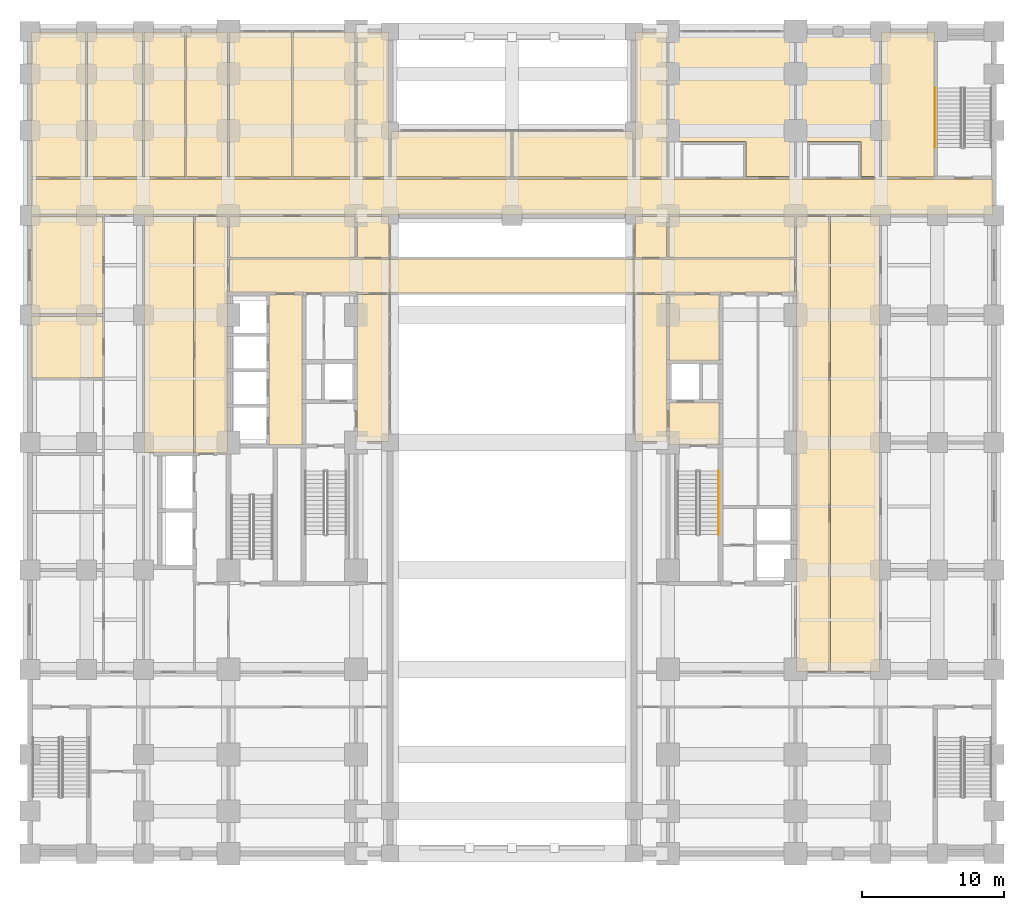
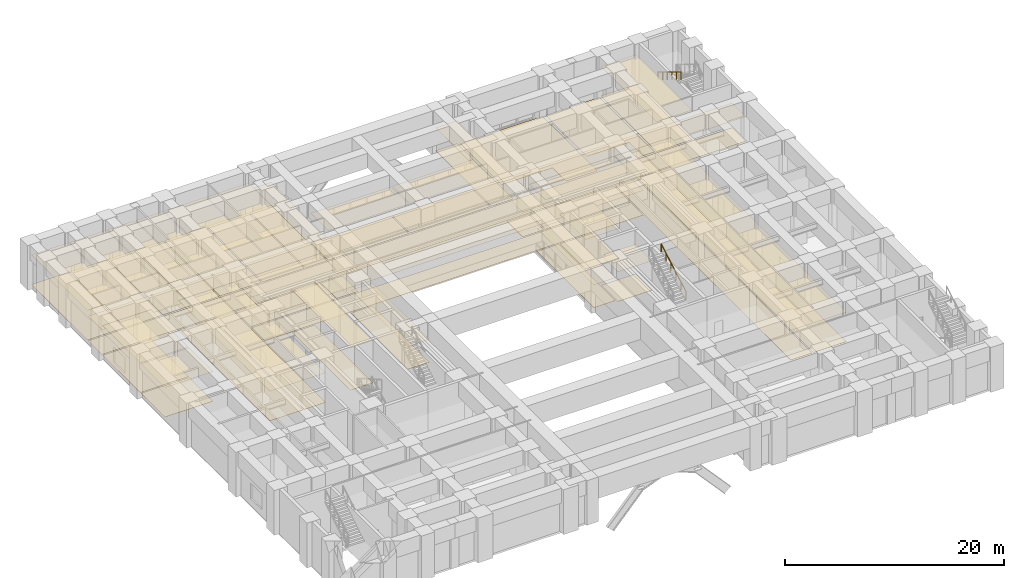
# One storey, part 22 of 24: 58 coverings, 2 railings.
"""IFC4 building model written with IfcOpenShell, lengths in metres."""

import ifcopenshell
import ifcopenshell.guid

model = None  # the IFC model being written
_history = None  # IfcOwnerHistory: only IFC2X3 demands one
_inside = {}  # id of a spatial element -> (the spatial element, [elements in it])
_under = {}  # id of a project, library or spatial element -> (it, [spatial elements below it])
_declared = {}  # id of a project -> (the project, [libraries it declares])
_typed = {}  # id of a type object -> (the type object, [elements of that type])
_made_of = {}  # id of a material, layer set ... -> (it, [elements and type objects made of it])


def new_model(schema):
    """Start an empty IFC model of exactly this schema.

    Asked for "IFC4X3", IfcOpenShell would pick the latest addendum, in which some entities
    have other attributes; the version numbers below select the first issue.
    IFC2X3 requires an IfcOwnerHistory on every rooted entity: one is made here for all.
    """
    global model, _history
    if schema == "IFC4X3":
        model = ifcopenshell.file(schema_version=(4, 3, 0, 0))
    else:
        model = ifcopenshell.file(schema=schema)
    _inside.clear()
    _under.clear()
    _declared.clear()
    _typed.clear()
    _made_of.clear()
    _history = None
    if model.schema == "IFC2X3":
        org = make("IfcOrganization", Name="unknown")
        user = make(
            "IfcPersonAndOrganization",
            ThePerson=make("IfcPerson", FamilyName="unknown"),
            TheOrganization=org,
        )
        app = make(
            "IfcApplication",
            ApplicationDeveloper=org,
            Version="unknown",
            ApplicationFullName="unknown",
            ApplicationIdentifier="unknown",
        )
        _history = make(
            "IfcOwnerHistory",
            OwningUser=user,
            OwningApplication=app,
            ChangeAction="ADDED",
            CreationDate=0,
        )
    return model


def make(cls, **values):
    """One entity of the class cls with the attributes given. An attribute that is None is left unset."""
    return model.create_entity(
        cls, **{name: value for name, value in values.items() if value is not None}
    )


def rooted(cls, **values):
    """An entity with a GlobalId (a new one), such as an element, a storey or a relation."""
    return make(cls, GlobalId=ifcopenshell.guid.new(), OwnerHistory=_history, **values)


def si_unit(unit_type, name, prefix=None):
    """IfcSIUnit, for example si_unit("LENGTHUNIT", "METRE", prefix="MILLI")."""
    return make("IfcSIUnit", UnitType=unit_type, Prefix=prefix, Name=name)


def assignment(units):
    """IfcUnitAssignment: the units of a project."""
    return None if units is None else make("IfcUnitAssignment", Units=units)


def point(xyz):
    """IfcCartesianPoint."""
    return None if xyz is None else make("IfcCartesianPoint", Coordinates=xyz)


def direction(xyz):
    """IfcDirection."""
    return None if xyz is None else make("IfcDirection", DirectionRatios=xyz)


def frame(location, z_axis=None, x_axis=None):
    """IfcAxis2Placement3D, a coordinate frame: its origin and axes. An axis left out is left unset."""
    return make(
        "IfcAxis2Placement3D",
        Location=point(location),
        Axis=direction(z_axis),
        RefDirection=direction(x_axis),
    )


def frame_2d(location, x_axis=None):
    """IfcAxis2Placement2D, a coordinate frame in the plane: its origin and x axis."""
    return make(
        "IfcAxis2Placement2D", Location=point(location), RefDirection=direction(x_axis)
    )


def origin():
    """The frame at (0, 0, 0) with its axes left unset."""
    return frame((0.0, 0.0, 0.0))


def origin_2d():
    """The frame at (0, 0) in the plane with its x axis left unset."""
    return frame_2d((0.0, 0.0))


def place(relative_to, where):
    """IfcLocalPlacement: puts the frame where relative to a parent placement (None: the world)."""
    return make(
        "IfcLocalPlacement", PlacementRelTo=relative_to, RelativePlacement=where
    )


def context(
    kind, dimensions, precision=None, world=None, true_north=None, identifier=None
):
    """IfcGeometricRepresentationContext, for example the 3D "Model" context."""
    return make(
        "IfcGeometricRepresentationContext",
        ContextIdentifier=identifier,
        ContextType=kind,
        CoordinateSpaceDimension=dimensions,
        Precision=precision,
        WorldCoordinateSystem=world,
        TrueNorth=true_north,
    )


def subcontext(parent, identifier, kind, view, scale=None):
    """IfcGeometricRepresentationSubContext, for example "Body" below "Model"."""
    return make(
        "IfcGeometricRepresentationSubContext",
        ContextIdentifier=identifier,
        ContextType=kind,
        ParentContext=parent,
        TargetScale=scale,
        TargetView=view,
    )


def project(units=None, contexts=None):
    """IfcProject with its units and contexts."""
    return rooted(
        "IfcProject",
        Name="project",
        RepresentationContexts=contexts,
        UnitsInContext=assignment(units),
    )


def spatial(cls, under=None, at=None, **own):
    """A site, building, storey or space (cls), placed at a placement, below another one or the project."""
    s = rooted(cls, ObjectPlacement=at, **own)
    if under is not None:
        _under.setdefault(under.id(), (under, []))[1].append(s)
    return s


def polyline(points):
    """IfcPolyline through the points."""
    return make("IfcPolyline", Points=[point(p) for p in points])


def profile(cls, at=None, kind="AREA", **sizes):
    """A parametric profile (cls). Its sizes go by their IFC names, for example OverallWidth=200.0."""
    return make(cls, ProfileType=kind, Position=at, **sizes)


def rectangle(**sizes):
    """IfcRectangleProfileDef."""
    return profile("IfcRectangleProfileDef", **sizes)


def outline(outer, holes=None, kind="AREA"):
    """IfcArbitraryClosedProfileDef: a profile drawn as a closed curve; with holes, ...WithVoids."""
    if holes is None:
        return make("IfcArbitraryClosedProfileDef", ProfileType=kind, OuterCurve=outer)
    return make(
        "IfcArbitraryProfileDefWithVoids",
        ProfileType=kind,
        OuterCurve=outer,
        InnerCurves=holes,
    )


def extrude(swept, where, along, depth):
    """IfcExtrudedAreaSolid: the profile swept, set in the frame where, extruded along a direction by depth."""
    return make(
        "IfcExtrudedAreaSolid",
        SweptArea=swept,
        Position=where,
        ExtrudedDirection=direction(along),
        Depth=depth,
    )


def shape(context_of_items, identifier, shape_type, items):
    """IfcShapeRepresentation: the items that make up one representation, for example the "Body"."""
    return make(
        "IfcShapeRepresentation",
        ContextOfItems=context_of_items,
        RepresentationIdentifier=identifier,
        RepresentationType=shape_type,
        Items=items,
    )


def material(Name=None, Category=None):
    """IfcMaterial."""
    return make("IfcMaterial", Name=Name, Category=Category)


def layer(
    of_material, thickness, ventilated=None, Name=None, Category=None, Priority=None
):
    """IfcMaterialLayer: one layer of a wall or slab, of a material (None: an air gap)."""
    return make(
        "IfcMaterialLayer",
        Material=of_material,
        LayerThickness=thickness,
        IsVentilated=ventilated,
        Name=Name,
        Category=Category,
        Priority=Priority,
    )


def layer_set(layers, Name=None):
    """IfcMaterialLayerSet."""
    return make("IfcMaterialLayerSet", MaterialLayers=layers, LayerSetName=Name)


def made_of(thing, what):
    """Note that an element or type object is made of a material, layer set ...; save() writes the relation."""
    if what is not None:
        _made_of.setdefault(what.id(), (what, []))[1].append(thing)
    return thing


def type_object(cls, material=None, **own):
    """A type object (cls), such as IfcWallType, which elements share."""
    return made_of(rooted(cls, **own), material)


def element(
    cls,
    number,
    at=None,
    inside=None,
    cuts=None,
    type_object=None,
    material=None,
    context=None,
    identifier="Body",
    shape_type=None,
    held_by="IfcProductDefinitionShape",
    body=None,
    shapes=None,
    **own,
):
    """One element of the class cls, such as IfcWall. Its Tag is "e" and its number.

    at: its placement. inside: the storey or other place that contains it. cuts: it is an
    opening in that element (IfcRelVoidsElement). A single representation is given by context,
    identifier, shape_type and body (its items); several are given by shapes. held_by: the class
    of the entity that holds the representations. save() writes the other relations.
    """
    e = rooted(cls, Tag="e%d" % number, ObjectPlacement=at, **own)
    if body is not None:
        shapes = [shape(context, identifier, shape_type, body)]
    if shapes is not None:
        e.Representation = make(held_by, Representations=shapes)
    if inside is not None:
        _inside.setdefault(inside.id(), (inside, []))[1].append(e)
    if cuts is not None:
        rooted(
            "IfcRelVoidsElement", RelatingBuildingElement=cuts, RelatedOpeningElement=e
        )
    if type_object is not None:
        _typed.setdefault(type_object.id(), (type_object, []))[1].append(e)
    return made_of(e, material)


def aggregate(whole, parts):
    """IfcRelAggregates: a whole, such as a stair, and the parts it consists of."""
    return rooted("IfcRelAggregates", RelatingObject=whole, RelatedObjects=parts)


def save(model, path):
    """Write the relations noted so far, then the file.

    IfcRelAggregates (storeys below a building ...), IfcRelContainedInSpatialStructure (elements
    in a storey), IfcRelDefinesByType, IfcRelAssociatesMaterial and IfcRelDeclares: one each for
    every whole, place, type object, material and project.
    """
    for whole, parts in _under.values():
        aggregate(whole, parts)
    for where, things in _inside.values():
        rooted(
            "IfcRelContainedInSpatialStructure",
            RelatedElements=things,
            RelatingStructure=where,
        )
    for kind, things in _typed.values():
        rooted("IfcRelDefinesByType", RelatedObjects=things, RelatingType=kind)
    for what, things in _made_of.values():
        rooted("IfcRelAssociatesMaterial", RelatedObjects=things, RelatingMaterial=what)
    for by, libraries in _declared.values():
        rooted("IfcRelDeclares", RelatingContext=by, RelatedDefinitions=libraries)
    model.write(path)


model = new_model("IFC4")

# Units and contexts
model_context = context("Model", 3, precision=1e-05, world=origin(), true_north=direction((0.0, 1.0)))
body_context = subcontext(model_context, "Body", "Model", "MODEL_VIEW")
ifc_project = project(units=[si_unit("LENGTHUNIT", "METRE"), si_unit("AREAUNIT", "SQUARE_METRE"), si_unit("VOLUMEUNIT", "CUBIC_METRE"), si_unit("PLANEANGLEUNIT", "RADIAN"), si_unit("MASSUNIT", "GRAM", prefix="KILO")], contexts=[model_context])

# Site, building, storey
site_placement = place(None, origin())
site = spatial("IfcSite", under=ifc_project, at=site_placement, CompositionType="ELEMENT")
building_placement = place(site_placement, origin())
building = spatial("IfcBuilding", under=site, at=building_placement, Name="Zulmaris Gate Convention Tower", CompositionType="ELEMENT")
storey_placement = place(building_placement, frame((0.0, 0.0, 16.320068359375)))
storey = spatial("IfcBuildingStorey", under=building, at=storey_placement, Name="L03", CompositionType="ELEMENT", Elevation=16.320068359375)

# Coverings
ifc_material_1 = material(Name="Mineral Fibre Acoustic Ceiling Tile")
ifc_layer_1 = layer(ifc_material_1, 0.02001953125, Name="Mineral Fibre Acoustic Ceiling Tile")
ifc_layer_set_1 = layer_set([ifc_layer_1], Name="Mineral Fibre Acoustic Ceiling Tile")
covering_type_1 = type_object("IfcCoveringType", Name="CLG-ACOUSTIC-600", PredefinedType="CEILING", material=ifc_layer_set_1)
covering_1_placement = place(storey_placement, frame((0.0, 0.0, 3.300048828125)))
element("IfcCovering", 1, at=covering_1_placement, inside=storey, type_object=covering_type_1, Name="CLG-L03-R08", PredefinedType="CEILING", context=body_context, shape_type="SweptSolid", body=[
    extrude(outline(polyline([(11.06005859375, -0.18994140625), (14.639892578125, -0.18994140625), (14.639892578125, 2.840087890625), (11.06005859375, 2.840087890625), (11.06005859375, -0.18994140625)])), origin(), (0.0, 0.0, 1.0), 0.019775390625),
])
covering_2_placement = place(storey_placement, frame((0.0, 0.0, 3.300048828125)))
element("IfcCovering", 2, at=covering_2_placement, inside=storey, type_object=covering_type_1, Name="CLG-L03-R13", PredefinedType="CEILING", context=body_context, shape_type="SweptSolid", body=[
    extrude(outline(polyline([(11.06005859375, 5.760009765625), (14.639892578125, 5.760009765625), (14.639892578125, 10.43994140625), (11.06005859375, 10.43994140625), (11.06005859375, 5.760009765625)])), origin(), (0.0, 0.0, 1.0), 0.019775390625),
])
covering_3_placement = place(storey_placement, frame((0.0, 0.0, 4.7099609375)))
element("IfcCovering", 3, at=covering_3_placement, inside=storey, type_object=covering_type_1, Name="CLG-L03-R16", PredefinedType="CEILING", context=body_context, shape_type="SweptSolid", body=[
    extrude(outline(polyline([(-17.139892578125, -0.18994140625), (-14.760009765625, -0.18994140625), (-14.760009765625, 10.43994140625), (-17.139892578125, 10.43994140625), (-17.139892578125, -0.18994140625)])), origin(), (0.0, 0.0, 1.0), 0.02001953125),
])
covering_4_placement = place(storey_placement, frame((0.0, 0.0, 2.550048828125)))
element("IfcCovering", 4, at=covering_4_placement, inside=storey, type_object=covering_type_1, Name="CLG-L03-R34", PredefinedType="CEILING", context=body_context, shape_type="SweptSolid", body=[
    extrude(outline(polyline([(-10.93994140625, 0.06005859375), (-8.659912109375, 0.06005859375), (-8.659912109375, 10.43994140625), (-10.93994140625, 10.43994140625), (-10.93994140625, 0.06005859375)])), origin(), (0.0, 0.0, 1.0), 0.019775390625),
])
covering_5_placement = place(storey_placement, frame((0.0, 0.0, 2.550048828125)))
element("IfcCovering", 5, at=covering_5_placement, inside=storey, type_object=covering_type_1, Name="CLG-L03-R36", PredefinedType="CEILING", context=body_context, shape_type="SweptSolid", body=[
    extrude(outline(polyline([(8.659912109375, 0.06005859375), (10.93994140625, 0.06005859375), (10.93994140625, 10.43994140625), (8.659912109375, 10.43994140625), (8.659912109375, 0.06005859375)])), origin(), (0.0, 0.0, 1.0), 0.019775390625),
])
covering_6_placement = place(storey_placement, frame((0.0, 0.0, 2.75)))
element("IfcCovering", 6, at=covering_6_placement, inside=storey, type_object=covering_type_1, Name="CLG-L03-R38", PredefinedType="CEILING", context=body_context, shape_type="SweptSolid", body=[
    extrude(outline(polyline([(-10.93994140625, 13.06005859375), (-8.659912109375, 13.06005859375), (-8.659912109375, 15.93994140625), (-10.93994140625, 15.93994140625), (-10.93994140625, 13.06005859375)])), origin(), (0.0, 0.0, 1.0), 0.02001953125),
])
covering_7_placement = place(storey_placement, frame((0.0, 0.0, 2.75)))
element("IfcCovering", 7, at=covering_7_placement, inside=storey, type_object=covering_type_1, Name="CLG-L03-R39", PredefinedType="CEILING", context=body_context, shape_type="SweptSolid", body=[
    extrude(outline(polyline([(8.659912109375, 13.06005859375), (10.93994140625, 13.06005859375), (10.93994140625, 15.93994140625), (8.659912109375, 15.93994140625), (8.659912109375, 13.06005859375)])), origin(), (0.0, 0.0, 1.0), 0.02001953125),
])
covering_8_placement = place(storey_placement, frame((0.0, 0.0, 3.300048828125)))
element("IfcCovering", 8, at=covering_8_placement, inside=storey, type_object=covering_type_1, Name="CLG-L03-R40", PredefinedType="CEILING", context=body_context, shape_type="SweptSolid", body=[
    extrude(outline(polyline([(-19.93994140625, 13.06005859375), (-11.06005859375, 13.06005859375), (-11.06005859375, 15.93994140625), (-19.93994140625, 15.93994140625), (-19.93994140625, 13.06005859375)])), origin(), (0.0, 0.0, 1.0), 0.019775390625),
])
covering_9_placement = place(storey_placement, frame((0.0, 0.0, 3.300048828125)))
element("IfcCovering", 9, at=covering_9_placement, inside=storey, type_object=covering_type_1, Name="CLG-L03-R41", PredefinedType="CEILING", context=body_context, shape_type="SweptSolid", body=[
    extrude(outline(polyline([(11.06005859375, 13.06005859375), (19.93994140625, 13.06005859375), (19.93994140625, 15.93994140625), (11.06005859375, 15.93994140625), (11.06005859375, 13.06005859375)])), origin(), (0.0, 0.0, 1.0), 0.019775390625),
])
covering_10_placement = place(storey_placement, frame((0.0, 0.0, 2.75)))
element("IfcCovering", 10, at=covering_10_placement, inside=storey, type_object=covering_type_1, Name="CLG-L03-R42", PredefinedType="CEILING", context=body_context, shape_type="SweptSolid", body=[
    extrude(outline(polyline([(-33.93994140625, 16.06005859375), (33.93994140625, 16.06005859375), (33.93994140625, 18.590087890625), (-33.93994140625, 18.590087890625), (-33.93994140625, 16.06005859375)])), origin(), (0.0, 0.0, 1.0), 0.02001953125),
])
covering_11_placement = place(storey_placement, frame((0.0, 0.0, 2.75)))
element("IfcCovering", 11, at=covering_11_placement, inside=storey, type_object=covering_type_1, Name="CLG-L03-R43", PredefinedType="CEILING", context=body_context, shape_type="SweptSolid", body=[
    extrude(outline(polyline([(-19.93994140625, 10.56005859375), (19.93994140625, 10.56005859375), (19.93994140625, 12.93994140625), (-19.93994140625, 12.93994140625), (-19.93994140625, 10.56005859375)])), origin(), (0.0, 0.0, 1.0), 0.02001953125),
])
covering_12_placement = place(storey_placement, frame((0.0, 0.0, 3.300048828125)))
element("IfcCovering", 12, at=covering_12_placement, inside=storey, type_object=covering_type_1, Name="CLG-L03-R44", PredefinedType="CEILING", context=body_context, shape_type="SweptSolid", body=[
    extrude(outline(polyline([(-22.340087890625, -0.739990234375), (-20.06005859375, -0.739990234375), (-20.06005859375, 15.93994140625), (-22.340087890625, 15.93994140625), (-22.340087890625, -0.739990234375)])), origin(), (0.0, 0.0, 1.0), 0.019775390625),
])
covering_13_placement = place(storey_placement, frame((0.0, 0.0, 3.300048828125)))
element("IfcCovering", 13, at=covering_13_placement, inside=storey, type_object=covering_type_1, Name="CLG-L03-R45", PredefinedType="CEILING", context=body_context, shape_type="SweptSolid", body=[
    extrude(outline(polyline([(-25.93994140625, -0.739990234375), (-22.4599609375, -0.739990234375), (-22.4599609375, 15.93994140625), (-25.93994140625, 15.93994140625), (-25.93994140625, -0.739990234375)])), origin(), (0.0, 0.0, 1.0), 0.019775390625),
])
covering_14_placement = place(storey_placement, frame((0.0, 0.0, 3.300048828125)))
element("IfcCovering", 14, at=covering_14_placement, inside=storey, type_object=covering_type_1, Name="CLG-L03-R48", PredefinedType="CEILING", context=body_context, shape_type="SweptSolid", body=[
    extrude(outline(polyline([(20.06005859375, -16.139892578125), (22.340087890625, -16.139892578125), (22.340087890625, 15.93994140625), (20.06005859375, 15.93994140625), (20.06005859375, -16.139892578125)])), origin(), (0.0, 0.0, 1.0), 0.019775390625),
])
covering_15_placement = place(storey_placement, frame((0.0, 0.0, 3.300048828125)))
element("IfcCovering", 15, at=covering_15_placement, inside=storey, type_object=covering_type_1, Name="CLG-L03-R53", PredefinedType="CEILING", context=body_context, shape_type="SweptSolid", body=[
    extrude(outline(polyline([(-33.93994140625, 18.7099609375), (-30.06005859375, 18.7099609375), (-30.06005859375, 28.93994140625), (-33.93994140625, 28.93994140625), (-33.93994140625, 18.7099609375)])), origin(), (0.0, 0.0, 1.0), 0.019775390625),
])
covering_16_placement = place(storey_placement, frame((0.0, 0.0, 3.300048828125)))
element("IfcCovering", 16, at=covering_16_placement, inside=storey, type_object=covering_type_1, Name="CLG-L03-R54", PredefinedType="CEILING", context=body_context, shape_type="SweptSolid", body=[
    extrude(outline(polyline([(-29.93994140625, 18.7099609375), (-26.06005859375, 18.7099609375), (-26.06005859375, 28.93994140625), (-29.93994140625, 28.93994140625), (-29.93994140625, 18.7099609375)])), origin(), (0.0, 0.0, 1.0), 0.019775390625),
])
covering_17_placement = place(storey_placement, frame((0.0, 0.0, 3.300048828125)))
element("IfcCovering", 17, at=covering_17_placement, inside=storey, type_object=covering_type_1, Name="CLG-L03-R55", PredefinedType="CEILING", context=body_context, shape_type="SweptSolid", body=[
    extrude(outline(polyline([(-25.93994140625, 18.7099609375), (-23.06005859375, 18.7099609375), (-23.06005859375, 28.93994140625), (-25.93994140625, 28.93994140625), (-25.93994140625, 18.7099609375)])), origin(), (0.0, 0.0, 1.0), 0.019775390625),
])
covering_18_placement = place(storey_placement, frame((0.0, 0.0, 3.300048828125)))
element("IfcCovering", 18, at=covering_18_placement, inside=storey, type_object=covering_type_1, Name="CLG-L03-R56", PredefinedType="CEILING", context=body_context, shape_type="SweptSolid", body=[
    extrude(outline(polyline([(-22.93994140625, 18.7099609375), (-20.06005859375, 18.7099609375), (-20.06005859375, 28.93994140625), (-22.93994140625, 28.93994140625), (-22.93994140625, 18.7099609375)])), origin(), (0.0, 0.0, 1.0), 0.019775390625),
])
covering_19_placement = place(storey_placement, frame((0.0, 0.0, 3.300048828125)))
element("IfcCovering", 19, at=covering_19_placement, inside=storey, type_object=covering_type_1, Name="CLG-L03-R57", PredefinedType="CEILING", context=body_context, shape_type="SweptSolid", body=[
    extrude(outline(polyline([(-19.93994140625, 18.7099609375), (-15.56005859375, 18.7099609375), (-15.56005859375, 28.93994140625), (-19.93994140625, 28.93994140625), (-19.93994140625, 18.7099609375)])), origin(), (0.0, 0.0, 1.0), 0.019775390625),
])
covering_20_placement = place(storey_placement, frame((0.0, 0.0, 3.300048828125)))
element("IfcCovering", 20, at=covering_20_placement, inside=storey, type_object=covering_type_1, Name="CLG-L03-R58", PredefinedType="CEILING", context=body_context, shape_type="SweptSolid", body=[
    extrude(outline(polyline([(-15.43994140625, 18.7099609375), (-11.06005859375, 18.7099609375), (-11.06005859375, 28.93994140625), (-15.43994140625, 28.93994140625), (-15.43994140625, 18.7099609375)])), origin(), (0.0, 0.0, 1.0), 0.019775390625),
])
covering_21_placement = place(storey_placement, frame((0.0, 0.0, 2.550048828125)))
element("IfcCovering", 21, at=covering_21_placement, inside=storey, type_object=covering_type_1, Name="CLG-L03-R59", PredefinedType="CEILING", context=body_context, shape_type="SweptSolid", body=[
    extrude(outline(polyline([(-10.93994140625, 18.7099609375), (-8.659912109375, 18.7099609375), (-8.659912109375, 28.93994140625), (-10.93994140625, 28.93994140625), (-10.93994140625, 18.7099609375)])), origin(), (0.0, 0.0, 1.0), 0.019775390625),
])
covering_22_placement = place(storey_placement, frame((0.0, 0.0, 3.300048828125)))
element("IfcCovering", 22, at=covering_22_placement, inside=storey, type_object=covering_type_1, Name="CLG-L03-R60", PredefinedType="CEILING", context=body_context, shape_type="SweptSolid", body=[
    extrude(outline(polyline([(-8.5400390625, 18.7099609375), (-0.06005859375, 18.7099609375), (-0.06005859375, 21.93994140625), (-8.5400390625, 21.93994140625), (-8.5400390625, 18.7099609375)])), origin(), (0.0, 0.0, 1.0), 0.019775390625),
])
covering_23_placement = place(storey_placement, frame((0.0, 0.0, 3.300048828125)))
element("IfcCovering", 23, at=covering_23_placement, inside=storey, type_object=covering_type_1, Name="CLG-L03-R61", PredefinedType="CEILING", context=body_context, shape_type="SweptSolid", body=[
    extrude(outline(polyline([(0.06005859375, 18.7099609375), (8.5400390625, 18.7099609375), (8.5400390625, 21.93994140625), (0.06005859375, 21.93994140625), (0.06005859375, 18.7099609375)])), origin(), (0.0, 0.0, 1.0), 0.019775390625),
])
covering_24_placement = place(storey_placement, frame((0.0, 0.0, 2.550048828125)))
element("IfcCovering", 24, at=covering_24_placement, inside=storey, type_object=covering_type_1, Name="CLG-L03-R62", PredefinedType="CEILING", context=body_context, shape_type="SweptSolid", body=[
    extrude(outline(polyline([(8.659912109375, 18.7099609375), (10.93994140625, 18.7099609375), (10.93994140625, 28.93994140625), (8.659912109375, 28.93994140625), (8.659912109375, 18.7099609375)])), origin(), (0.0, 0.0, 1.0), 0.019775390625),
])
covering_25_placement = place(storey_placement, frame((0.0, 0.0, 3.300048828125)))
element("IfcCovering", 25, at=covering_25_placement, inside=storey, type_object=covering_type_1, Name="CLG-L03-R63", PredefinedType="CEILING", context=body_context, shape_type="SweptSolid", body=[
    extrude(outline(polyline([(26.06005859375, 18.7099609375), (29.7900390625, 18.7099609375), (29.7900390625, 28.93994140625), (26.06005859375, 28.93994140625), (26.06005859375, 18.7099609375)])), origin(), (0.0, 0.0, 1.0), 0.019775390625),
])
covering_26_placement = place(storey_placement, frame((0.0, 0.0, 3.300048828125)))
element("IfcCovering", 26, at=covering_26_placement, inside=storey, type_object=covering_type_1, Name="CLG-L03-R73", PredefinedType="CEILING", context=body_context, shape_type="SweptSolid", body=[
    extrude(outline(polyline([(-33.93994140625, 4.56005859375), (-28.860107421875, 4.56005859375), (-28.860107421875, 8.93994140625), (-33.93994140625, 8.93994140625), (-33.93994140625, 4.56005859375)])), origin(), (0.0, 0.0, 1.0), 0.019775390625),
])
covering_27_placement = place(storey_placement, frame((0.0, 0.0, 3.300048828125)))
element("IfcCovering", 27, at=covering_27_placement, inside=storey, type_object=covering_type_1, Name="CLG-L03-R74", PredefinedType="CEILING", context=body_context, shape_type="SweptSolid", body=[
    extrude(outline(polyline([(-33.93994140625, 9.06005859375), (-28.860107421875, 9.06005859375), (-28.860107421875, 15.93994140625), (-33.93994140625, 15.93994140625), (-33.93994140625, 9.06005859375)])), origin(), (0.0, 0.0, 1.0), 0.019775390625),
])
covering_28_placement = place(storey_placement, frame((0.0, 0.0, 3.300048828125)))
element("IfcCovering", 28, at=covering_28_placement, inside=storey, type_object=covering_type_1, Name="CLG-L03-R75", PredefinedType="CEILING", context=body_context, shape_type="SweptSolid", body=[
    extrude(outline(polyline([(22.4599609375, -16.139892578125), (25.93994140625, -16.139892578125), (25.93994140625, 15.93994140625), (22.4599609375, 15.93994140625), (22.4599609375, -16.139892578125)])), origin(), (0.0, 0.0, 1.0), 0.019775390625),
])
ifc_material_2 = material(Name="Woven Acoustic Wool Carpet Tile")
ifc_layer_2 = layer(ifc_material_2, 0.02001953125, Name="Woven Acoustic Wool Carpet Tile")
ifc_layer_set_2 = layer_set([ifc_layer_2], Name="Woven Acoustic Wool Carpet Tile")
covering_type_2 = type_object("IfcCoveringType", Name="FLR-CARPET-12", PredefinedType="FLOORING", material=ifc_layer_set_2)
covering_29_placement = place(storey_placement, origin())
element("IfcCovering", 29, at=covering_29_placement, inside=storey, type_object=covering_type_2, Name="FLR-L03-R08", PredefinedType="FLOORING", context=body_context, shape_type="SweptSolid", body=[
    extrude(outline(polyline([(11.06005859375, -0.18994140625), (14.639892578125, -0.18994140625), (14.639892578125, 2.840087890625), (11.06005859375, 2.840087890625), (11.06005859375, -0.18994140625)])), origin(), (0.0, 0.0, 1.0), 0.02001953125),
])
covering_30_placement = place(storey_placement, origin())
element("IfcCovering", 30, at=covering_30_placement, inside=storey, type_object=covering_type_2, Name="FLR-L03-R13", PredefinedType="FLOORING", context=body_context, shape_type="SweptSolid", body=[
    extrude(outline(polyline([(11.06005859375, 5.760009765625), (14.639892578125, 5.760009765625), (14.639892578125, 10.43994140625), (11.06005859375, 10.43994140625), (11.06005859375, 5.760009765625)])), origin(), (0.0, 0.0, 1.0), 0.02001953125),
])
covering_31_placement = place(storey_placement, origin())
element("IfcCovering", 31, at=covering_31_placement, inside=storey, type_object=covering_type_2, Name="FLR-L03-R16", PredefinedType="FLOORING", context=body_context, shape_type="SweptSolid", body=[
    extrude(outline(polyline([(-17.139892578125, -0.18994140625), (-14.760009765625, -0.18994140625), (-14.760009765625, 10.43994140625), (-17.139892578125, 10.43994140625), (-17.139892578125, -0.18994140625)])), origin(), (0.0, 0.0, 1.0), 0.02001953125),
])
covering_32_placement = place(storey_placement, origin())
element("IfcCovering", 32, at=covering_32_placement, inside=storey, type_object=covering_type_2, Name="FLR-L03-R34", PredefinedType="FLOORING", context=body_context, shape_type="SweptSolid", body=[
    extrude(outline(polyline([(-10.93994140625, 0.06005859375), (-8.659912109375, 0.06005859375), (-8.659912109375, 10.43994140625), (-10.93994140625, 10.43994140625), (-10.93994140625, 0.06005859375)])), origin(), (0.0, 0.0, 1.0), 0.02001953125),
])
covering_33_placement = place(storey_placement, origin())
element("IfcCovering", 33, at=covering_33_placement, inside=storey, type_object=covering_type_2, Name="FLR-L03-R36", PredefinedType="FLOORING", context=body_context, shape_type="SweptSolid", body=[
    extrude(outline(polyline([(8.659912109375, 0.06005859375), (10.93994140625, 0.06005859375), (10.93994140625, 10.43994140625), (8.659912109375, 10.43994140625), (8.659912109375, 0.06005859375)])), origin(), (0.0, 0.0, 1.0), 0.02001953125),
])
covering_34_placement = place(storey_placement, origin())
element("IfcCovering", 34, at=covering_34_placement, inside=storey, type_object=covering_type_2, Name="FLR-L03-R38", PredefinedType="FLOORING", context=body_context, shape_type="SweptSolid", body=[
    extrude(outline(polyline([(-10.93994140625, 13.06005859375), (-8.659912109375, 13.06005859375), (-8.659912109375, 15.93994140625), (-10.93994140625, 15.93994140625), (-10.93994140625, 13.06005859375)])), origin(), (0.0, 0.0, 1.0), 0.02001953125),
])
covering_35_placement = place(storey_placement, origin())
element("IfcCovering", 35, at=covering_35_placement, inside=storey, type_object=covering_type_2, Name="FLR-L03-R39", PredefinedType="FLOORING", context=body_context, shape_type="SweptSolid", body=[
    extrude(outline(polyline([(8.659912109375, 13.06005859375), (10.93994140625, 13.06005859375), (10.93994140625, 15.93994140625), (8.659912109375, 15.93994140625), (8.659912109375, 13.06005859375)])), origin(), (0.0, 0.0, 1.0), 0.02001953125),
])
covering_36_placement = place(storey_placement, origin())
element("IfcCovering", 36, at=covering_36_placement, inside=storey, type_object=covering_type_2, Name="FLR-L03-R42", PredefinedType="FLOORING", context=body_context, shape_type="SweptSolid", body=[
    extrude(outline(polyline([(-33.93994140625, 16.06005859375), (33.93994140625, 16.06005859375), (33.93994140625, 18.590087890625), (-33.93994140625, 18.590087890625), (-33.93994140625, 16.06005859375)])), origin(), (0.0, 0.0, 1.0), 0.02001953125),
])
covering_37_placement = place(storey_placement, origin())
element("IfcCovering", 37, at=covering_37_placement, inside=storey, type_object=covering_type_2, Name="FLR-L03-R43", PredefinedType="FLOORING", context=body_context, shape_type="SweptSolid", body=[
    extrude(outline(polyline([(-19.93994140625, 10.56005859375), (19.93994140625, 10.56005859375), (19.93994140625, 12.93994140625), (-19.93994140625, 12.93994140625), (-19.93994140625, 10.56005859375)])), origin(), (0.0, 0.0, 1.0), 0.02001953125),
])
covering_38_placement = place(storey_placement, origin())
element("IfcCovering", 38, at=covering_38_placement, inside=storey, type_object=covering_type_2, Name="FLR-L03-R44", PredefinedType="FLOORING", context=body_context, shape_type="SweptSolid", body=[
    extrude(outline(polyline([(-22.340087890625, -0.739990234375), (-20.06005859375, -0.739990234375), (-20.06005859375, 15.93994140625), (-22.340087890625, 15.93994140625), (-22.340087890625, -0.739990234375)])), origin(), (0.0, 0.0, 1.0), 0.02001953125),
])
covering_39_placement = place(storey_placement, origin())
element("IfcCovering", 39, at=covering_39_placement, inside=storey, type_object=covering_type_2, Name="FLR-L03-R48", PredefinedType="FLOORING", context=body_context, shape_type="SweptSolid", body=[
    extrude(outline(polyline([(20.06005859375, -16.139892578125), (22.340087890625, -16.139892578125), (22.340087890625, 15.93994140625), (20.06005859375, 15.93994140625), (20.06005859375, -16.139892578125)])), origin(), (0.0, 0.0, 1.0), 0.02001953125),
])
covering_40_placement = place(storey_placement, origin())
element("IfcCovering", 40, at=covering_40_placement, inside=storey, type_object=covering_type_2, Name="FLR-L03-R54", PredefinedType="FLOORING", context=body_context, shape_type="SweptSolid", body=[
    extrude(outline(polyline([(-29.93994140625, 18.7099609375), (-26.06005859375, 18.7099609375), (-26.06005859375, 28.93994140625), (-29.93994140625, 28.93994140625), (-29.93994140625, 18.7099609375)])), origin(), (0.0, 0.0, 1.0), 0.02001953125),
])
covering_41_placement = place(storey_placement, origin())
element("IfcCovering", 41, at=covering_41_placement, inside=storey, type_object=covering_type_2, Name="FLR-L03-R58", PredefinedType="FLOORING", context=body_context, shape_type="SweptSolid", body=[
    extrude(outline(polyline([(-15.43994140625, 18.7099609375), (-11.06005859375, 18.7099609375), (-11.06005859375, 28.93994140625), (-15.43994140625, 28.93994140625), (-15.43994140625, 18.7099609375)])), origin(), (0.0, 0.0, 1.0), 0.02001953125),
])
covering_42_placement = place(storey_placement, origin())
element("IfcCovering", 42, at=covering_42_placement, inside=storey, type_object=covering_type_2, Name="FLR-L03-R59", PredefinedType="FLOORING", context=body_context, shape_type="SweptSolid", body=[
    extrude(outline(polyline([(-10.93994140625, 18.7099609375), (-8.659912109375, 18.7099609375), (-8.659912109375, 28.93994140625), (-10.93994140625, 28.93994140625), (-10.93994140625, 18.7099609375)])), origin(), (0.0, 0.0, 1.0), 0.02001953125),
])
covering_43_placement = place(storey_placement, origin())
element("IfcCovering", 43, at=covering_43_placement, inside=storey, type_object=covering_type_2, Name="FLR-L03-R62", PredefinedType="FLOORING", context=body_context, shape_type="SweptSolid", body=[
    extrude(outline(polyline([(8.659912109375, 18.7099609375), (10.93994140625, 18.7099609375), (10.93994140625, 28.93994140625), (8.659912109375, 28.93994140625), (8.659912109375, 18.7099609375)])), origin(), (0.0, 0.0, 1.0), 0.02001953125),
])
covering_44_placement = place(storey_placement, origin())
element("IfcCovering", 44, at=covering_44_placement, inside=storey, type_object=covering_type_2, Name="FLR-L03-R63", PredefinedType="FLOORING", context=body_context, shape_type="SweptSolid", body=[
    extrude(outline(polyline([(26.06005859375, 18.7099609375), (29.7900390625, 18.7099609375), (29.7900390625, 28.93994140625), (26.06005859375, 28.93994140625), (26.06005859375, 18.7099609375)])), origin(), (0.0, 0.0, 1.0), 0.02001953125),
])
covering_45_placement = place(storey_placement, origin())
element("IfcCovering", 45, at=covering_45_placement, inside=storey, type_object=covering_type_2, Name="FLR-L03-R67", PredefinedType="FLOORING", context=body_context, shape_type="SweptSolid", body=[
    extrude(outline(polyline([(24.6201171875, 18.77001953125), (25.85009765625, 18.77001953125), (25.85009765625, 28.800048828125), (20.14990234375, 28.800048828125), (20.14990234375, 21.219970703125), (24.6201171875, 21.219970703125), (24.6201171875, 18.77001953125)])), origin(), (0.0, 0.0, 1.0), 0.02001953125),
])
covering_46_placement = place(storey_placement, origin())
element("IfcCovering", 46, at=covering_46_placement, inside=storey, type_object=covering_type_2, Name="FLR-L03-R75", PredefinedType="FLOORING", context=body_context, shape_type="SweptSolid", body=[
    extrude(outline(polyline([(22.4599609375, -16.139892578125), (25.93994140625, -16.139892578125), (25.93994140625, 15.93994140625), (22.4599609375, 15.93994140625), (22.4599609375, -16.139892578125)])), origin(), (0.0, 0.0, 1.0), 0.02001953125),
])
ifc_material_3 = material(Name="Polished Granite Terrazzo Tile", Category="masonry")
ifc_layer_3 = layer(ifc_material_3, 0.02001953125, Name="Polished Granite Terrazzo Tile")
ifc_layer_set_3 = layer_set([ifc_layer_3], Name="Polished Granite Terrazzo Tile")
covering_type_3 = type_object("IfcCoveringType", Name="FLR-TERRAZZO-30", PredefinedType="FLOORING", material=ifc_layer_set_3)
covering_47_placement = place(storey_placement, origin())
element("IfcCovering", 47, at=covering_47_placement, inside=storey, type_object=covering_type_3, Name="FLR-L03-R60", PredefinedType="FLOORING", context=body_context, shape_type="SweptSolid", body=[
    extrude(outline(polyline([(-8.5400390625, 18.7099609375), (-0.06005859375, 18.7099609375), (-0.06005859375, 21.93994140625), (-8.5400390625, 21.93994140625), (-8.5400390625, 18.7099609375)])), origin(), (0.0, 0.0, 1.0), 0.02001953125),
])
covering_48_placement = place(storey_placement, origin())
element("IfcCovering", 48, at=covering_48_placement, inside=storey, type_object=covering_type_3, Name="FLR-L03-R61", PredefinedType="FLOORING", context=body_context, shape_type="SweptSolid", body=[
    extrude(outline(polyline([(0.06005859375, 18.7099609375), (8.5400390625, 18.7099609375), (8.5400390625, 21.93994140625), (0.06005859375, 21.93994140625), (0.06005859375, 18.7099609375)])), origin(), (0.0, 0.0, 1.0), 0.02001953125),
])
ifc_material_4 = material(Name="Engineered Teak Parquet Flooring")
ifc_layer_4 = layer(ifc_material_4, 0.02001953125, Name="Engineered Teak Parquet Flooring")
ifc_layer_set_4 = layer_set([ifc_layer_4], Name="Engineered Teak Parquet Flooring")
covering_type_4 = type_object("IfcCoveringType", Name="FLR-TIMBER-18", PredefinedType="FLOORING", material=ifc_layer_set_4)
covering_49_placement = place(storey_placement, origin())
element("IfcCovering", 49, at=covering_49_placement, inside=storey, type_object=covering_type_4, Name="FLR-L03-R40", PredefinedType="FLOORING", context=body_context, shape_type="SweptSolid", body=[
    extrude(outline(polyline([(-19.93994140625, 13.06005859375), (-11.06005859375, 13.06005859375), (-11.06005859375, 15.93994140625), (-19.93994140625, 15.93994140625), (-19.93994140625, 13.06005859375)])), origin(), (0.0, 0.0, 1.0), 0.02001953125),
])
covering_50_placement = place(storey_placement, origin())
element("IfcCovering", 50, at=covering_50_placement, inside=storey, type_object=covering_type_4, Name="FLR-L03-R41", PredefinedType="FLOORING", context=body_context, shape_type="SweptSolid", body=[
    extrude(outline(polyline([(11.06005859375, 13.06005859375), (19.93994140625, 13.06005859375), (19.93994140625, 15.93994140625), (11.06005859375, 15.93994140625), (11.06005859375, 13.06005859375)])), origin(), (0.0, 0.0, 1.0), 0.02001953125),
])
covering_51_placement = place(storey_placement, origin())
element("IfcCovering", 51, at=covering_51_placement, inside=storey, type_object=covering_type_4, Name="FLR-L03-R45", PredefinedType="FLOORING", context=body_context, shape_type="SweptSolid", body=[
    extrude(outline(polyline([(-25.93994140625, -0.739990234375), (-22.4599609375, -0.739990234375), (-22.4599609375, 15.93994140625), (-25.93994140625, 15.93994140625), (-25.93994140625, -0.739990234375)])), origin(), (0.0, 0.0, 1.0), 0.02001953125),
])
covering_52_placement = place(storey_placement, origin())
element("IfcCovering", 52, at=covering_52_placement, inside=storey, type_object=covering_type_4, Name="FLR-L03-R53", PredefinedType="FLOORING", context=body_context, shape_type="SweptSolid", body=[
    extrude(outline(polyline([(-33.93994140625, 18.7099609375), (-30.06005859375, 18.7099609375), (-30.06005859375, 28.93994140625), (-33.93994140625, 28.93994140625), (-33.93994140625, 18.7099609375)])), origin(), (0.0, 0.0, 1.0), 0.02001953125),
])
covering_53_placement = place(storey_placement, origin())
element("IfcCovering", 53, at=covering_53_placement, inside=storey, type_object=covering_type_4, Name="FLR-L03-R55", PredefinedType="FLOORING", context=body_context, shape_type="SweptSolid", body=[
    extrude(outline(polyline([(-25.93994140625, 18.7099609375), (-23.06005859375, 18.7099609375), (-23.06005859375, 28.93994140625), (-25.93994140625, 28.93994140625), (-25.93994140625, 18.7099609375)])), origin(), (0.0, 0.0, 1.0), 0.02001953125),
])
covering_54_placement = place(storey_placement, origin())
element("IfcCovering", 54, at=covering_54_placement, inside=storey, type_object=covering_type_4, Name="FLR-L03-R56", PredefinedType="FLOORING", context=body_context, shape_type="SweptSolid", body=[
    extrude(outline(polyline([(-22.93994140625, 18.7099609375), (-20.06005859375, 18.7099609375), (-20.06005859375, 28.93994140625), (-22.93994140625, 28.93994140625), (-22.93994140625, 18.7099609375)])), origin(), (0.0, 0.0, 1.0), 0.02001953125),
])
covering_55_placement = place(storey_placement, origin())
element("IfcCovering", 55, at=covering_55_placement, inside=storey, type_object=covering_type_4, Name="FLR-L03-R57", PredefinedType="FLOORING", context=body_context, shape_type="SweptSolid", body=[
    extrude(outline(polyline([(-19.93994140625, 18.7099609375), (-15.56005859375, 18.7099609375), (-15.56005859375, 28.93994140625), (-19.93994140625, 28.93994140625), (-19.93994140625, 18.7099609375)])), origin(), (0.0, 0.0, 1.0), 0.02001953125),
])
covering_56_placement = place(storey_placement, origin())
element("IfcCovering", 56, at=covering_56_placement, inside=storey, type_object=covering_type_4, Name="FLR-L03-R65", PredefinedType="FLOORING", context=body_context, shape_type="SweptSolid", body=[
    extrude(outline(polyline([(16.52001953125, 18.77001953125), (19.85009765625, 18.77001953125), (19.85009765625, 28.800048828125), (11.14990234375, 28.800048828125), (11.14990234375, 21.219970703125), (16.52001953125, 21.219970703125), (16.52001953125, 18.77001953125)])), origin(), (0.0, 0.0, 1.0), 0.02001953125),
])
covering_57_placement = place(storey_placement, origin())
element("IfcCovering", 57, at=covering_57_placement, inside=storey, type_object=covering_type_4, Name="FLR-L03-R73", PredefinedType="FLOORING", context=body_context, shape_type="SweptSolid", body=[
    extrude(outline(polyline([(-33.93994140625, 4.56005859375), (-28.860107421875, 4.56005859375), (-28.860107421875, 8.93994140625), (-33.93994140625, 8.93994140625), (-33.93994140625, 4.56005859375)])), origin(), (0.0, 0.0, 1.0), 0.02001953125),
])
covering_58_placement = place(storey_placement, origin())
element("IfcCovering", 58, at=covering_58_placement, inside=storey, type_object=covering_type_4, Name="FLR-L03-R74", PredefinedType="FLOORING", context=body_context, shape_type="SweptSolid", body=[
    extrude(outline(polyline([(-33.93994140625, 9.06005859375), (-28.860107421875, 9.06005859375), (-28.860107421875, 15.93994140625), (-33.93994140625, 15.93994140625), (-33.93994140625, 9.06005859375)])), origin(), (0.0, 0.0, 1.0), 0.02001953125),
])

# Railings
ifc_material_5 = material(Name="Brushed Stainless Steel", Category="steel")
railing_type = type_object("IfcRailingType", Name="RL-STH-900", PredefinedType="HANDRAIL", material=ifc_material_5)
railing_1_placement = place(storey_placement, frame((14.570068359375, -6.5, 2.889892578125)))
element("IfcRailing", 59, at=railing_1_placement, inside=storey, type_object=railing_type, Name="L03 ST-2 stair handrail 2", PredefinedType="HANDRAIL", context=body_context, shape_type="SweptSolid", body=[
    extrude(rectangle(XDim=0.048095703125, YDim=0.048095703125, at=origin_2d()), frame((0.0, 0.0, 0.8759765625), z_axis=(0.0, 0.870018136573, 0.493019717692), x_axis=(-1.0, 0.0, 0.0)), (0.0, 0.0, 1.0), 5.17236328125),
    extrude(rectangle(XDim=0.0419921875, YDim=0.0419921875, at=origin_2d()), origin(), (0.0, 0.0, 1.0), 0.851806640625),
    extrude(rectangle(XDim=0.0419921875, YDim=0.0419921875, at=origin_2d()), frame((0.0, 0.89990234375, 0.510009765625)), (0.0, 0.0, 1.0), 0.851806640625),
    extrude(rectangle(XDim=0.0419921875, YDim=0.0419921875, at=origin_2d()), frame((0.0, 1.800048828125, 1.02001953125)), (0.0, 0.0, 1.0), 0.851806640625),
    extrude(rectangle(XDim=0.0419921875, YDim=0.0419921875, at=origin_2d()), frame((0.0, 2.699951171875, 1.530029296875)), (0.0, 0.0, 1.0), 0.851806640625),
    extrude(rectangle(XDim=0.0419921875, YDim=0.0419921875, at=origin_2d()), frame((0.0, 3.60009765625, 2.0400390625)), (0.0, 0.0, 1.0), 0.851806640625),
    extrude(rectangle(XDim=0.0419921875, YDim=0.0419921875, at=origin_2d()), frame((0.0, 4.5, 2.550048828125)), (0.0, 0.0, 1.0), 0.851806640625),
])
railing_2_placement = place(storey_placement, frame((29.830078125, 25.0, 2.889892578125)))
element("IfcRailing", 60, at=railing_2_placement, inside=storey, type_object=railing_type, Name="L03 ST-5 stair handrail 2", PredefinedType="HANDRAIL", context=body_context, shape_type="SweptSolid", body=[
    extrude(rectangle(XDim=0.048095703125, YDim=0.048095703125, at=origin_2d()), frame((0.0, 0.0, 0.8759765625), z_axis=(0.0, -0.854780430106, 0.518989803665), x_axis=(1.0, 0.0, 0.0)), (0.0, 0.0, 1.0), 4.91357421875),
    extrude(rectangle(XDim=0.0419921875, YDim=0.0419921875, at=origin_2d()), origin(), (0.0, 0.0, 1.0), 0.851806640625),
    extrude(rectangle(XDim=0.0419921875, YDim=0.0419921875, at=origin_2d()), frame((0.0, -0.840087890625, 0.510009765625)), (0.0, 0.0, 1.0), 0.851806640625),
    extrude(rectangle(XDim=0.0419921875, YDim=0.0419921875, at=origin_2d()), frame((0.0, -1.679931640625, 1.02001953125)), (0.0, 0.0, 1.0), 0.851806640625),
    extrude(rectangle(XDim=0.0419921875, YDim=0.0419921875, at=origin_2d()), frame((0.0, -2.52001953125, 1.530029296875)), (0.0, 0.0, 1.0), 0.851806640625),
    extrude(rectangle(XDim=0.0419921875, YDim=0.0419921875, at=origin_2d()), frame((0.0, -3.35986328125, 2.0400390625)), (0.0, 0.0, 1.0), 0.851806640625),
    extrude(rectangle(XDim=0.0419921875, YDim=0.0419921875, at=origin_2d()), frame((0.0, -4.199951171875, 2.550048828125)), (0.0, 0.0, 1.0), 0.851806640625),
])

save(model, "model.ifc")
